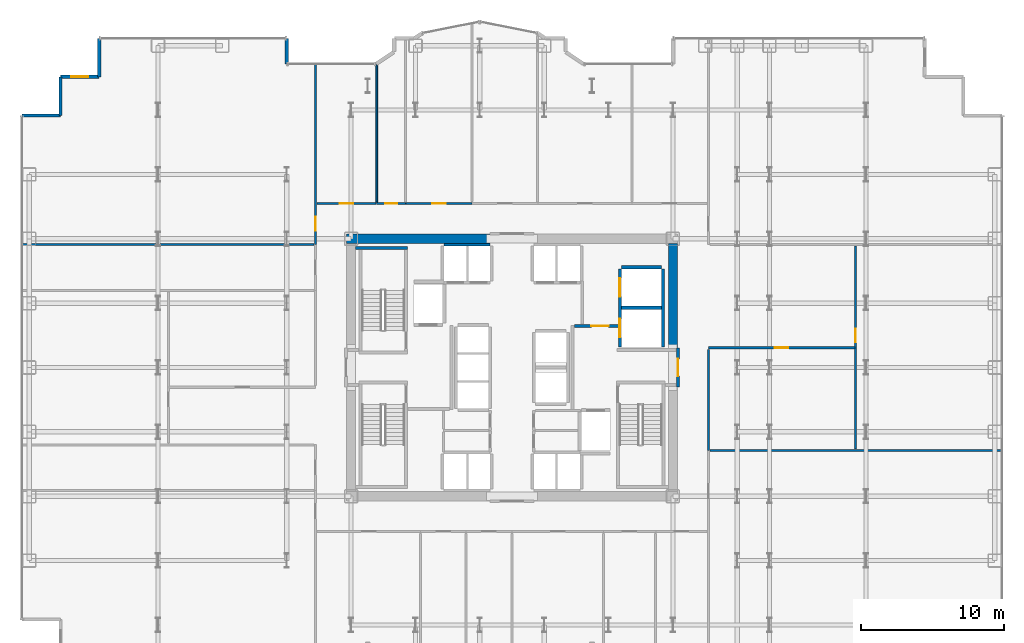
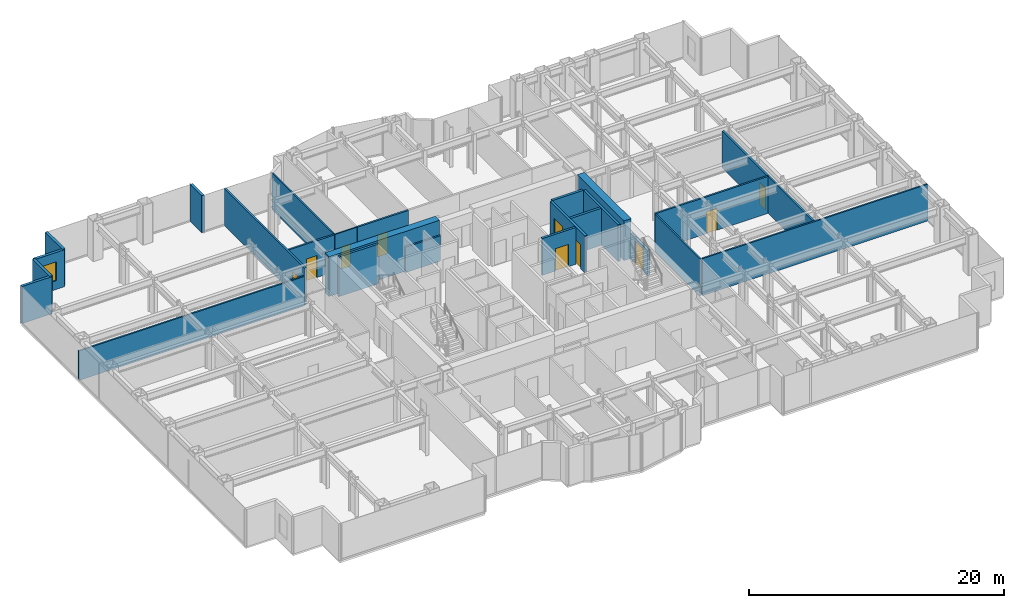
# One storey, part 23 of 25: 25 walls, 10 doors, 1 window, 11 openings.
"""IFC4 building model written with IfcOpenShell, lengths in metres."""

from ifc_helpers import new_model, si_unit, direction, frame, frame_2d, origin, place, context, subcontext, project, spatial, rectangle, extrude, source, transform, mapped, material, layer, layer_set, type_object, element, fill, save


model = new_model("IFC4")

# Units and contexts
model_context = context("Model", 3, precision=1e-05, world=origin(), true_north=direction((0.0, 1.0)))
body_context = subcontext(model_context, "Body", "Model", "MODEL_VIEW")
ifc_project = project(units=[si_unit("LENGTHUNIT", "METRE"), si_unit("AREAUNIT", "SQUARE_METRE"), si_unit("VOLUMEUNIT", "CUBIC_METRE"), si_unit("PLANEANGLEUNIT", "RADIAN"), si_unit("MASSUNIT", "GRAM", prefix="KILO")], contexts=[model_context])

# Site, building, storey
site_placement = place(None, origin())
site = spatial("IfcSite", under=ifc_project, at=site_placement, CompositionType="ELEMENT")
building_placement = place(site_placement, origin())
building = spatial("IfcBuilding", under=site, at=building_placement, Name="Nefas-Gora Pilgrimage Tower", CompositionType="ELEMENT")
storey_placement = place(building_placement, frame((0.0, 0.0, 74.800048828125)))
storey = spatial("IfcBuildingStorey", under=building, at=storey_placement, Name="L17", CompositionType="ELEMENT", Elevation=74.800048828125)

# Walls
ifc_material_1 = material(Name="Concrete C60/75", Category="concrete")
ifc_layer_1 = layer(ifc_material_1, 0.64990234375)
ifc_layer_set_1 = layer_set([ifc_layer_1], Name="Concrete C60/75")
wall_type_1 = type_object("IfcWallType", Name="SW-CORE-650", PredefinedType="SHEAR", material=ifc_layer_set_1)
shared_shape_1 = source(origin(), body_context, "Body", "SweptSolid", [
    extrude(rectangle(XDim=10.02490234375, YDim=0.64990234375, at=frame_2d((5.012451171875, 0.0))), origin(), (0.0, 0.0, 1.0), 3.800048828125),
])
wall_1_placement = place(storey_placement, frame((-11.574951171875, 9.0, 0.0), z_axis=(0.0, 0.0, 1.0), x_axis=(1.0, 0.0, 0.0)))
element("IfcWall", 1, at=wall_1_placement, inside=storey, type_object=wall_type_1, Name="L17 Core Shear Wall N-West", PredefinedType="SHEAR", context=body_context, shape_type="MappedRepresentation", body=[
    mapped(shared_shape_1, transform((0.0, 0.0, 0.0), x_axis=(1.0, 0.0, 0.0), y_axis=(0.0, 1.0, 0.0), z_axis=(0.0, 0.0, 1.0), scale=1.0)),
])
shared_shape_2 = source(origin(), body_context, "Body", "SweptSolid", [
    extrude(rectangle(XDim=7.324951171875, YDim=0.64990234375, at=frame_2d((3.66259765625, 0.0))), origin(), (0.0, 0.0, 1.0), 3.800048828125),
])
wall_2_placement = place(storey_placement, frame((11.25, 1.35009765625, 0.0), z_axis=(0.0, 0.0, 1.0), x_axis=(0.0, 1.0, 0.0)))
element("IfcWall", 2, at=wall_2_placement, inside=storey, type_object=wall_type_1, Name="L17 Core Shear Wall E-North", PredefinedType="SHEAR", context=body_context, shape_type="MappedRepresentation", body=[
    mapped(shared_shape_2, transform((0.0, 0.0, 0.0), x_axis=(1.0, 0.0, 0.0), y_axis=(0.0, 1.0, 0.0), z_axis=(0.0, 0.0, 1.0), scale=1.0)),
])
ifc_material_2 = material(Name="Precast concrete C40/50", Category="concrete")
ifc_layer_2 = layer(ifc_material_2, 0.260009765625)
ifc_layer_set_2 = layer_set([ifc_layer_2], Name="Precast concrete C40/50")
wall_type_2 = type_object("IfcWallType", Name="EW-PORTAL-260", PredefinedType="SOLIDWALL", material=ifc_layer_set_2)
shared_shape_3 = source(origin(), body_context, "Body", "SweptSolid", [
    extrude(rectangle(XDim=1.800048828125, YDim=0.260009765625, at=frame_2d((0.89990234375, 0.0))), origin(), (0.0, 0.0, 1.0), 3.550048828125),
])
wall_3_placement = place(storey_placement, frame((-15.75, 21.219970703125, 0.0), z_axis=(0.0, 0.0, 1.0), x_axis=(0.0, 1.0, 0.0)))
element("IfcWall", 3, at=wall_3_placement, inside=storey, type_object=wall_type_2, Name="L17 Lobe Shoulder Precast Spandrel Pier 19", PredefinedType="SOLIDWALL", context=body_context, shape_type="MappedRepresentation", body=[
    mapped(shared_shape_3, transform((0.0, 0.0, 0.0), x_axis=(1.0, 0.0, 0.0), y_axis=(0.0, 1.0, 0.0), z_axis=(0.0, 0.0, 1.0), scale=1.0)),
])
ifc_material_3 = material(Name="Precast concrete C45/55", Category="concrete")
ifc_layer_3 = layer(ifc_material_3, 0.239990234375)
ifc_layer_set_3 = layer_set([ifc_layer_3], Name="Precast concrete C45/55")
wall_type_3 = type_object("IfcWallType", Name="EW-SERR-240", PredefinedType="SHEAR", material=ifc_layer_set_3)
shared_shape_4 = source(origin(), body_context, "Body", "SweptSolid", [
    extrude(rectangle(XDim=2.699951171875, YDim=0.239990234375, at=frame_2d((1.35009765625, 0.0))), origin(), (0.0, 0.0, 1.0), 3.550048828125),
])
wall_4_placement = place(storey_placement, frame((-28.8701171875, 23.02001953125, 0.0), z_axis=(0.0, 0.0, 1.0), x_axis=(0.0, -1.0, 0.0)))
element("IfcWall", 4, at=wall_4_placement, inside=storey, type_object=wall_type_3, Name="L17 Serrated Corner Shear Pier Wall 20", PredefinedType="SHEAR", context=body_context, shape_type="MappedRepresentation", body=[
    mapped(shared_shape_4, transform((0.0, 0.0, 0.0), x_axis=(1.0, 0.0, 0.0), y_axis=(0.0, 1.0, 0.0), z_axis=(0.0, 0.0, 1.0), scale=1.0)),
])

# Wall, opening, window
wall_5_placement = place(storey_placement, frame((-28.8701171875, 20.320068359375, 0.0), z_axis=(0.0, 0.0, 1.0), x_axis=(-1.0, 0.0, 0.0)))
wall_5 = element("IfcWall", 5, at=wall_5_placement, inside=storey, type_object=wall_type_3, Name="L17 Serrated Corner Shear Pier Wall 21", PredefinedType="SHEAR", context=body_context, shape_type="MappedRepresentation", body=[
    mapped(shared_shape_4, transform((0.0, 0.0, 0.0), x_axis=(1.0, 0.0, 0.0), y_axis=(0.0, 1.0, 0.0), z_axis=(0.0, 0.0, 1.0), scale=1.0)),
])
opening_1_placement = place(wall_5_placement, frame((0.75, 0.0, 0.85009765625)))
opening_1 = element("IfcOpeningElement", 6, at=opening_1_placement, cuts=wall_5, Name="Opening W-V1", PredefinedType="OPENING", context=body_context, shape_type="SweptSolid", body=[
    extrude(rectangle(XDim=1.199951171875, YDim=1.800048828125, at=frame_2d((0.60009765625, 0.89990234375))), frame((0.0, 0.1298828125, 0.0), z_axis=(0.0, -1.0, 0.0), x_axis=(1.0, 0.0, 0.0)), (0.0, 0.0, 1.0), 0.260009765625),
])
ifc_material_4 = material(Name="Dark ceramic-fritted operable aluminium-glass window", Category="aluminium")
window_type = type_object("IfcWindowType", Name="WIN-VENT-1200x1800", PartitioningType="SINGLE_PANEL", PredefinedType="WINDOW", material=ifc_material_4)
shared_shape_5 = source(origin(), body_context, "Body", "SweptSolid", [
    extrude(rectangle(XDim=1.199951171875, YDim=1.800048828125, at=frame_2d((0.60009765625, 0.89990234375))), frame((0.0, 0.030029296875, 0.0), z_axis=(0.0, -1.0, 0.0), x_axis=(1.0, 0.0, 0.0)), (0.0, 0.0, 1.0), 0.06005859375),
])
window_placement = place(opening_1_placement, origin())
window = element("IfcWindow", 7, at=window_placement, inside=storey, type_object=window_type, Name="L17 Operable Parallel-Outswing Window 21", OverallHeight=1.800048828125, OverallWidth=1.199951171875, PartitioningType="SINGLE_PANEL", PredefinedType="WINDOW", context=body_context, shape_type="MappedRepresentation", body=[
    mapped(shared_shape_5, transform((0.0, 0.0, 0.0), x_axis=(1.0, 0.0, 0.0), y_axis=(0.0, 1.0, 0.0), z_axis=(0.0, 0.0, 1.0), scale=1.0)),
])
fill(opening_1, window)

# Walls
for number, where, z_axis, x_axis, name in (
    (8, (-31.570068359375, 20.320068359375, 0.0), (0.0, 0.0, 1.0), (0.0, -1.0, 0.0), "L17 Serrated Corner Shear Pier Wall 22"),
    (9, (-31.570068359375, 17.6201171875, 0.0), (0.0, 0.0, 1.0), (-1.0, 0.0, 0.0), "L17 Serrated Corner Shear Pier Wall 23"),
):
    element("IfcWall", number, at=place(storey_placement, frame(where, z_axis=z_axis, x_axis=x_axis)), inside=storey, type_object=wall_type_3, Name=name, PredefinedType="SHEAR", context=body_context, shape_type="MappedRepresentation", body=[
        mapped(shared_shape_4, transform((0.0, 0.0, 0.0), x_axis=(1.0, 0.0, 0.0), y_axis=(0.0, 1.0, 0.0), z_axis=(0.0, 0.0, 1.0), scale=1.0)),
    ])
ifc_material_5 = material(Name="Concrete C45/55", Category="concrete")
ifc_layer_4 = layer(ifc_material_5, 0.199951171875)
ifc_layer_set_4 = layer_set([ifc_layer_4], Name="Concrete C45/55")
wall_type_4 = type_object("IfcWallType", Name="IW-STAIR-200", PredefinedType="SOLIDWALL", material=ifc_layer_set_4)
shared_shape_6 = source(origin(), body_context, "Body", "SweptSolid", [
    extrude(rectangle(XDim=3.6298828125, YDim=0.199951171875, at=frame_2d((1.81494140625, 0.0))), origin(), (0.0, 0.0, 1.0), 3.800048828125),
])
wall_6_placement = place(storey_placement, frame((-7.300048828125, 8.35009765625, 0.0), z_axis=(0.0, 0.0, 1.0), x_axis=(-1.0, 0.0, 0.0)))
element("IfcWall", 10, at=wall_6_placement, inside=storey, type_object=wall_type_4, Name="L17 Stairwell Shear Wall ST-01-far", PredefinedType="SOLIDWALL", context=body_context, shape_type="MappedRepresentation", body=[
    mapped(shared_shape_6, transform((0.0, 0.0, 0.0), x_axis=(1.0, 0.0, 0.0), y_axis=(0.0, 1.0, 0.0), z_axis=(0.0, 0.0, 1.0), scale=1.0)),
])

# Wall, openings, doors
ifc_material_6 = material(Name="Concrete C40/50", Category="concrete")
ifc_layer_5 = layer(ifc_material_6, 0.219970703125)
ifc_layer_set_5 = layer_set([ifc_layer_5], Name="Concrete C40/50")
wall_type_5 = type_object("IfcWallType", Name="IW-SHAFT-220", PredefinedType="SOLIDWALL", material=ifc_layer_set_5)
shared_shape_7 = source(origin(), body_context, "Body", "SweptSolid", [
    extrude(rectangle(XDim=5.449951171875, YDim=0.219970703125, at=frame_2d((2.72509765625, 0.0))), origin(), (0.0, 0.0, 1.0), 3.534912109375),
])
wall_7_placement = place(storey_placement, frame((7.5400390625, 6.89990234375, 0.0), z_axis=(0.0, 0.0, 1.0), x_axis=(0.0, -1.0, 0.0)))
wall_7 = element("IfcWall", 11, at=wall_7_placement, inside=storey, type_object=wall_type_5, Name="L17 Hoistway Wall SL-01-02-W", PredefinedType="SOLIDWALL", context=body_context, shape_type="MappedRepresentation", body=[
    mapped(shared_shape_7, transform((0.0, 0.0, 0.0), x_axis=(1.0, 0.0, 0.0), y_axis=(0.0, 1.0, 0.0), z_axis=(0.0, 0.0, 1.0), scale=1.0)),
])
opening_2_placement = place(wall_7_placement, frame((3.5, 0.0, 0.0)))
opening_2 = element("IfcOpeningElement", 12, at=opening_2_placement, cuts=wall_7, Name="Opening LD-SV", PredefinedType="OPENING", context=body_context, shape_type="SweptSolid", body=[
    extrude(rectangle(XDim=1.300048828125, YDim=2.300048828125, at=frame_2d((0.64990234375, 1.14990234375))), frame((0.0, 0.119873046875, 0.0), z_axis=(0.0, -1.0, 0.0), x_axis=(1.0, 0.0, 0.0)), (0.0, 0.0, 1.0), 0.239990234375),
])
opening_3_placement = place(wall_7_placement, frame((0.64990234375, 0.0, 0.0)))
opening_3 = element("IfcOpeningElement", 13, at=opening_3_placement, cuts=wall_7, Name="Opening LD-SV", PredefinedType="OPENING", context=body_context, shape_type="SweptSolid", body=[
    extrude(rectangle(XDim=1.300048828125, YDim=2.300048828125, at=frame_2d((0.64990234375, 1.14990234375))), frame((0.0, 0.119873046875, 0.0), z_axis=(0.0, -1.0, 0.0), x_axis=(1.0, 0.0, 0.0)), (0.0, 0.0, 1.0), 0.239990234375),
])
ifc_material_7 = material(Name="Heavy goods sliding lift landing door")
door_type_1 = type_object("IfcDoorType", Name="DR-LIFT-SERV-1300", OperationType="SLIDING_TO_RIGHT", PredefinedType="DOOR", material=ifc_material_7)
shared_shape_8 = source(origin(), body_context, "Body", "SweptSolid", [
    extrude(rectangle(XDim=1.300048828125, YDim=2.300048828125, at=frame_2d((0.64990234375, 1.14990234375))), frame((0.0, 0.02490234375, 0.0), z_axis=(0.0, -1.0, 0.0), x_axis=(1.0, 0.0, 0.0)), (0.0, 0.0, 1.0), 0.050048828125),
])
door_1_placement = place(opening_2_placement, origin())
door_1 = element("IfcDoor", 14, at=door_1_placement, inside=storey, type_object=door_type_1, Name="L17 Sliding Lift Landing Door SL-01", OperationType="SLIDING_TO_RIGHT", OverallHeight=2.300048828125, OverallWidth=1.300048828125, PredefinedType="DOOR", context=body_context, shape_type="MappedRepresentation", body=[
    mapped(shared_shape_8, transform((0.0, 0.0, 0.0), x_axis=(1.0, 0.0, 0.0), y_axis=(0.0, 1.0, 0.0), z_axis=(0.0, 0.0, 1.0), scale=1.0)),
])
fill(opening_2, door_1)
door_2_placement = place(opening_3_placement, origin())
door_2 = element("IfcDoor", 15, at=door_2_placement, inside=storey, type_object=door_type_1, Name="L17 Sliding Lift Landing Door SL-02", OperationType="SLIDING_TO_RIGHT", OverallHeight=2.300048828125, OverallWidth=1.300048828125, PredefinedType="DOOR", context=body_context, shape_type="MappedRepresentation", body=[
    mapped(shared_shape_8, transform((0.0, 0.0, 0.0), x_axis=(1.0, 0.0, 0.0), y_axis=(0.0, 1.0, 0.0), z_axis=(0.0, 0.0, 1.0), scale=1.0)),
])
fill(opening_3, door_2)

# Walls
wall_8_placement = place(storey_placement, frame((10.56005859375, 1.449951171875, 0.0), z_axis=(0.0, 0.0, 1.0), x_axis=(0.0, 1.0, 0.0)))
element("IfcWall", 16, at=wall_8_placement, inside=storey, type_object=wall_type_5, Name="L17 Hoistway Wall SL-01-02-E", PredefinedType="SOLIDWALL", context=body_context, shape_type="MappedRepresentation", body=[
    mapped(shared_shape_7, transform((0.0, 0.0, 0.0), x_axis=(1.0, 0.0, 0.0), y_axis=(0.0, 1.0, 0.0), z_axis=(0.0, 0.0, 1.0), scale=1.0)),
])
shared_shape_9 = source(origin(), body_context, "Body", "SweptSolid", [
    extrude(rectangle(XDim=2.780029296875, YDim=0.219970703125, at=frame_2d((1.39013671875, 0.0))), origin(), (0.0, 0.0, 1.0), 3.534912109375),
])
for number, where, z_axis, x_axis, name in (
    (17, (7.659912109375, 4.175048828125, 0.0), (0.0, 0.0, 1.0), (1.0, 0.0, 0.0), "L17 Hoistway Wall SL-01-02-DIV"),
    (18, (10.43994140625, 7.010009765625, 0.0), (0.0, 0.0, 1.0), (-1.0, 0.0, 0.0), "L17 Hoistway Wall SL-02-N"),
):
    element("IfcWall", number, at=place(storey_placement, frame(where, z_axis=z_axis, x_axis=x_axis)), inside=storey, type_object=wall_type_5, Name=name, PredefinedType="SOLIDWALL", context=body_context, shape_type="MappedRepresentation", body=[
        mapped(shared_shape_9, transform((0.0, 0.0, 0.0), x_axis=(1.0, 0.0, 0.0), y_axis=(0.0, 1.0, 0.0), z_axis=(0.0, 0.0, 1.0), scale=1.0)),
    ])
ifc_material_8 = material(Name="Gypsum acoustic stud partition")
ifc_layer_6 = layer(ifc_material_8, 0.159912109375)
ifc_layer_set_6 = layer_set([ifc_layer_6], Name="Gypsum acoustic stud partition")
wall_type_6 = type_object("IfcWallType", Name="IW-CORR-160", PredefinedType="PARTITIONING", material=ifc_layer_set_6)
shared_shape_10 = source(origin(), body_context, "Body", "SweptSolid", [
    extrude(rectangle(XDim=3.199951171875, YDim=0.159912109375, at=frame_2d((1.60009765625, 0.0))), origin(), (0.0, 0.0, 1.0), 2.425048828125),
])
wall_9_placement = place(storey_placement, frame((-1.550048828125, 8.580078125, 0.0), z_axis=(0.0, 0.0, 1.0), x_axis=(-1.0, 0.0, 0.0)))
element("IfcWall", 19, at=wall_9_placement, inside=storey, type_object=wall_type_6, Name="L17 Hoistway Wall PL1-W-N", PredefinedType="PARTITIONING", context=body_context, shape_type="MappedRepresentation", body=[
    mapped(shared_shape_10, transform((0.0, 0.0, 0.0), x_axis=(1.0, 0.0, 0.0), y_axis=(0.0, 1.0, 0.0), z_axis=(0.0, 0.0, 1.0), scale=1.0)),
])

# Wall, opening, door
ifc_material_9 = material(Name="Gypsum fire-rated shaftwall")
ifc_layer_7 = layer(ifc_material_9, 0.199951171875)
ifc_layer_set_7 = layer_set([ifc_layer_7], Name="Gypsum fire-rated shaftwall")
wall_type_7 = type_object("IfcWallType", Name="IW-FFLOB-200", PredefinedType="PARTITIONING", material=ifc_layer_set_7)
shared_shape_11 = source(origin(), body_context, "Body", "SweptSolid", [
    extrude(rectangle(XDim=2.7001953125, YDim=0.199951171875, at=frame_2d((1.35009765625, 0.0))), origin(), (0.0, 0.0, 1.0), 2.425048828125),
])
wall_10_placement = place(storey_placement, frame((11.60009765625, -1.35009765625, 0.0), z_axis=(0.0, 0.0, 1.0), x_axis=(0.0, 1.0, 0.0)))
wall_10 = element("IfcWall", 20, at=wall_10_placement, inside=storey, type_object=wall_type_7, Name="L17 FF Lobby East Portal Wall 8", PredefinedType="PARTITIONING", context=body_context, shape_type="MappedRepresentation", body=[
    mapped(shared_shape_11, transform((0.0, 0.0, 0.0), x_axis=(1.0, 0.0, 0.0), y_axis=(0.0, 1.0, 0.0), z_axis=(0.0, 0.0, 1.0), scale=1.0)),
])
opening_4_placement = place(wall_10_placement, frame((0.75, 0.0, 0.0)))
opening_4 = element("IfcOpeningElement", 21, at=opening_4_placement, cuts=wall_10, Name="Opening ID-FF1", PredefinedType="OPENING", context=body_context, shape_type="SweptSolid", body=[
    extrude(rectangle(XDim=1.199951171875, YDim=2.14990234375, at=frame_2d((0.60009765625, 1.074951171875))), frame((0.0, 0.10986328125, 0.0), z_axis=(0.0, -1.0, 0.0), x_axis=(1.0, 0.0, 0.0)), (0.0, 0.0, 1.0), 0.219970703125),
])
ifc_material_10 = material(Name="Smoke-sealed steel firefighting lobby door", Category="steel")
door_type_2 = type_object("IfcDoorType", Name="DR-INT-FFLOB-1200", OperationType="NOTDEFINED", PredefinedType="DOOR", material=ifc_material_10)
shared_shape_12 = source(origin(), body_context, "Body", "SweptSolid", [
    extrude(rectangle(XDim=1.199951171875, YDim=2.14990234375, at=frame_2d((0.60009765625, 1.074951171875))), frame((0.0, 0.02490234375, 0.0), z_axis=(0.0, -1.0, 0.0), x_axis=(1.0, 0.0, 0.0)), (0.0, 0.0, 1.0), 0.050048828125),
])
door_3_placement = place(opening_4_placement, origin())
door_3 = element("IfcDoor", 22, at=door_3_placement, inside=storey, type_object=door_type_2, Name="L17 FF Lobby East Portal Door 2", OperationType="SINGLE_SWING_RIGHT", OverallHeight=2.14990234375, OverallWidth=1.199951171875, PredefinedType="DOOR", context=body_context, shape_type="MappedRepresentation", body=[
    mapped(shared_shape_12, transform((0.0, 0.0, 0.0), x_axis=(1.0, 0.0, 0.0), y_axis=(0.0, 1.0, 0.0), z_axis=(0.0, 0.0, 1.0), scale=1.0)),
])
fill(opening_4, door_3)

shared_shape_13 = source(origin(), body_context, "Body", "SweptSolid", [
    extrude(rectangle(XDim=3.039794921875, YDim=0.199951171875, at=frame_2d((1.52001953125, 0.0))), origin(), (0.0, 0.0, 1.0), 3.534912109375),
])
wall_11_placement = place(storey_placement, frame((4.360107421875, 2.89990234375, 0.0), z_axis=(0.0, 0.0, 1.0), x_axis=(1.0, 0.0, 0.0)))
wall_11 = element("IfcWall", 23, at=wall_11_placement, inside=storey, type_object=wall_type_7, Name="L17 FF Lobby East North Wall Wall 10", PredefinedType="PARTITIONING", context=body_context, shape_type="MappedRepresentation", body=[
    mapped(shared_shape_13, transform((0.0, 0.0, 0.0), x_axis=(1.0, 0.0, 0.0), y_axis=(0.0, 1.0, 0.0), z_axis=(0.0, 0.0, 1.0), scale=1.0)),
])
opening_5_placement = place(wall_11_placement, frame((1.18994140625, 0.0, 0.0)))
opening_5 = element("IfcOpeningElement", 24, at=opening_5_placement, cuts=wall_11, Name="Opening ID-PL1", PredefinedType="OPENING", context=body_context, shape_type="SweptSolid", body=[
    extrude(rectangle(XDim=1.199951171875, YDim=2.14990234375, at=frame_2d((0.60009765625, 1.074951171875))), frame((0.0, 0.10986328125, 0.0), z_axis=(0.0, -1.0, 0.0), x_axis=(1.0, 0.0, 0.0)), (0.0, 0.0, 1.0), 0.219970703125),
])
ifc_material_11 = material(Name="Heavy-duty steel plant room fire door", Category="steel")
door_type_3 = type_object("IfcDoorType", Name="DR-INT-PLANT-1200", OperationType="NOTDEFINED", PredefinedType="DOOR", material=ifc_material_11)
door_4_placement = place(opening_5_placement, origin())
door_4 = element("IfcDoor", 25, at=door_4_placement, inside=storey, type_object=door_type_3, Name="L17 Service Lift Lobby Door Door 3", OperationType="SINGLE_SWING_LEFT", OverallHeight=2.14990234375, OverallWidth=1.199951171875, PredefinedType="DOOR", context=body_context, shape_type="MappedRepresentation", body=[
    mapped(shared_shape_12, transform((0.0, 0.0, 0.0), x_axis=(1.0, 0.0, 0.0), y_axis=(0.0, 1.0, 0.0), z_axis=(0.0, 0.0, 1.0), scale=1.0)),
])
fill(opening_5, door_4)

ifc_material_12 = material(Name="Moisture-resistant fire-rated gypsum partition")
ifc_layer_8 = layer(ifc_material_12, 0.1201171875)
ifc_layer_set_8 = layer_set([ifc_layer_8], Name="Moisture-resistant fire-rated gypsum partition")
wall_type_8 = type_object("IfcWallType", Name="IW-WET-120", PredefinedType="PLUMBINGWALL", material=ifc_layer_set_8)
shared_shape_14 = source(origin(), body_context, "Body", "SweptSolid", [
    extrude(rectangle(XDim=2.02001953125, YDim=0.1201171875, at=frame_2d((1.010009765625, 0.0))), origin(), (0.0, 0.0, 1.0), 3.534912109375),
])
wall_12_placement = place(storey_placement, frame((-9.4599609375, 11.469970703125, 0.0), z_axis=(0.0, 0.0, 1.0), x_axis=(1.0, 0.0, 0.0)))
wall_12 = element("IfcWall", 26, at=wall_12_placement, inside=storey, type_object=wall_type_8, Name="L17 Accessible Unisex WC Partition Wall 25", PredefinedType="PLUMBINGWALL", context=body_context, shape_type="MappedRepresentation", body=[
    mapped(shared_shape_14, transform((0.0, 0.0, 0.0), x_axis=(1.0, 0.0, 0.0), y_axis=(0.0, 1.0, 0.0), z_axis=(0.0, 0.0, 1.0), scale=1.0)),
])
opening_6_placement = place(wall_12_placement, frame((0.5849609375, 0.0, 0.0)))
opening_6 = element("IfcOpeningElement", 27, at=opening_6_placement, cuts=wall_12, Name="Opening ID-BT1", PredefinedType="OPENING", context=body_context, shape_type="SweptSolid", body=[
    extrude(rectangle(XDim=0.85009765625, YDim=2.10009765625, at=frame_2d((0.425048828125, 1.050048828125))), frame((0.0, 0.070068359375, 0.0), z_axis=(0.0, -1.0, 0.0), x_axis=(1.0, 0.0, 0.0)), (0.0, 0.0, 1.0), 0.14013671875),
])
ifc_material_13 = material(Name="Moisture-resistant fire-rated timber door", Category="wood")
door_type_4 = type_object("IfcDoorType", Name="DR-INT-BATH-850", OperationType="NOTDEFINED", PredefinedType="DOOR", material=ifc_material_13)
shared_shape_15 = source(origin(), body_context, "Body", "SweptSolid", [
    extrude(rectangle(XDim=0.85009765625, YDim=2.10009765625, at=frame_2d((0.425048828125, 1.050048828125))), frame((0.0, 0.02490234375, 0.0), z_axis=(0.0, -1.0, 0.0), x_axis=(1.0, 0.0, 0.0)), (0.0, 0.0, 1.0), 0.050048828125),
])
door_5_placement = place(opening_6_placement, origin())
door_5 = element("IfcDoor", 28, at=door_5_placement, inside=storey, type_object=door_type_4, Name="L17 Accessible Unisex WC Door 10", OperationType="SINGLE_SWING_RIGHT", OverallHeight=2.10009765625, OverallWidth=0.85009765625, PredefinedType="DOOR", context=body_context, shape_type="MappedRepresentation", body=[
    mapped(shared_shape_15, transform((0.0, 0.0, 0.0), x_axis=(1.0, 0.0, 0.0), y_axis=(0.0, 1.0, 0.0), z_axis=(0.0, 0.0, 1.0), scale=1.0)),
])
fill(opening_6, door_5)

# Wall
shared_shape_16 = source(origin(), body_context, "Body", "SweptSolid", [
    extrude(rectangle(XDim=9.586669921875, YDim=0.1201171875, at=frame_2d((4.79345703125, 0.0))), origin(), (0.0, 0.0, 1.0), 3.534912109375),
])
wall_13_placement = place(storey_placement, frame((-9.449951171875, 11.570068359375, 0.0), z_axis=(0.0, 0.0, 1.0), x_axis=(0.0, 1.0, 0.0)))
element("IfcWall", 29, at=wall_13_placement, inside=storey, type_object=wall_type_8, Name="L17 Accessible Unisex WC Partition Wall 27", PredefinedType="PLUMBINGWALL", context=body_context, shape_type="MappedRepresentation", body=[
    mapped(shared_shape_16, transform((0.0, 0.0, 0.0), x_axis=(1.0, 0.0, 0.0), y_axis=(0.0, 1.0, 0.0), z_axis=(0.0, 0.0, 1.0), scale=1.0)),
])

# Wall, opening, door
shared_shape_17 = source(origin(), body_context, "Body", "SweptSolid", [
    extrude(rectangle(XDim=10.25, YDim=0.159912109375, at=frame_2d((5.125, 0.0))), origin(), (0.0, 0.0, 1.0), 3.534912109375),
])
wall_14_placement = place(storey_placement, frame((13.72998046875, 1.3798828125, 0.0), z_axis=(0.0, 0.0, 1.0), x_axis=(1.0, 0.0, 0.0)))
wall_14 = element("IfcWall", 30, at=wall_14_placement, inside=storey, type_object=wall_type_6, Name="L17 Pilgrim Contemplative Lounge Partition Wall 43", PredefinedType="PARTITIONING", context=body_context, shape_type="MappedRepresentation", body=[
    mapped(shared_shape_17, transform((0.0, 0.0, 0.0), x_axis=(1.0, 0.0, 0.0), y_axis=(0.0, 1.0, 0.0), z_axis=(0.0, 0.0, 1.0), scale=1.0)),
])
opening_7_placement = place(wall_14_placement, frame((4.64990234375, 0.0, 0.0)))
opening_7 = element("IfcOpeningElement", 31, at=opening_7_placement, cuts=wall_14, Name="Opening ID-GR1", PredefinedType="OPENING", context=body_context, shape_type="SweptSolid", body=[
    extrude(rectangle(XDim=0.949951171875, YDim=2.10009765625, at=frame_2d((0.47509765625, 1.050048828125))), frame((0.0, 0.08984375, 0.0), z_axis=(0.0, -1.0, 0.0), x_axis=(1.0, 0.0, 0.0)), (0.0, 0.0, 1.0), 0.179931640625),
])
ifc_material_14 = material(Name="Solid core oak fire-rated guest entrance door")
door_type_5 = type_object("IfcDoorType", Name="DR-INT-GUEST-950", OperationType="NOTDEFINED", PredefinedType="DOOR", material=ifc_material_14)
shared_shape_18 = source(origin(), body_context, "Body", "SweptSolid", [
    extrude(rectangle(XDim=0.949951171875, YDim=2.10009765625, at=frame_2d((0.47509765625, 1.050048828125))), frame((0.0, 0.02490234375, 0.0), z_axis=(0.0, -1.0, 0.0), x_axis=(1.0, 0.0, 0.0)), (0.0, 0.0, 1.0), 0.050048828125),
])
door_6_placement = place(opening_7_placement, origin())
door_6 = element("IfcDoor", 32, at=door_6_placement, inside=storey, type_object=door_type_5, Name="L17 Pilgrim Contemplative Lounge Door 19", OperationType="SINGLE_SWING_LEFT", OverallHeight=2.10009765625, OverallWidth=0.949951171875, PredefinedType="DOOR", context=body_context, shape_type="MappedRepresentation", body=[
    mapped(shared_shape_18, transform((0.0, 0.0, 0.0), x_axis=(1.0, 0.0, 0.0), y_axis=(0.0, 1.0, 0.0), z_axis=(0.0, 0.0, 1.0), scale=1.0)),
])
fill(opening_7, door_6)

shared_shape_19 = source(origin(), body_context, "Body", "SweptSolid", [
    extrude(rectangle(XDim=4.125, YDim=0.159912109375, at=frame_2d((2.0625, 0.0))), origin(), (0.0, 0.0, 1.0), 3.534912109375),
])
wall_15_placement = place(storey_placement, frame((-13.6201171875, 11.469970703125, 0.0), z_axis=(0.0, 0.0, 1.0), x_axis=(1.0, 0.0, 0.0)))
wall_15 = element("IfcWall", 33, at=wall_15_placement, inside=storey, type_object=wall_type_6, Name="L17 Pilgrim Contemplative Lounge Partition Wall 46", PredefinedType="PARTITIONING", context=body_context, shape_type="MappedRepresentation", body=[
    mapped(shared_shape_19, transform((0.0, 0.0, 0.0), x_axis=(1.0, 0.0, 0.0), y_axis=(0.0, 1.0, 0.0), z_axis=(0.0, 0.0, 1.0), scale=1.0)),
])
opening_8_placement = place(wall_15_placement, frame((1.58740234375, 0.0, 0.0)))
opening_8 = element("IfcOpeningElement", 34, at=opening_8_placement, cuts=wall_15, Name="Opening ID-GR1", PredefinedType="OPENING", context=body_context, shape_type="SweptSolid", body=[
    extrude(rectangle(XDim=0.949951171875, YDim=2.10009765625, at=frame_2d((0.47509765625, 1.050048828125))), frame((0.0, 0.08984375, 0.0), z_axis=(0.0, -1.0, 0.0), x_axis=(1.0, 0.0, 0.0)), (0.0, 0.0, 1.0), 0.179931640625),
])
door_7_placement = place(opening_8_placement, origin())
door_7 = element("IfcDoor", 35, at=door_7_placement, inside=storey, type_object=door_type_5, Name="L17 Pilgrim Contemplative Lounge Door 21", OperationType="SINGLE_SWING_LEFT", OverallHeight=2.10009765625, OverallWidth=0.949951171875, PredefinedType="DOOR", context=body_context, shape_type="MappedRepresentation", body=[
    mapped(shared_shape_18, transform((0.0, 0.0, 0.0), x_axis=(1.0, 0.0, 0.0), y_axis=(0.0, 1.0, 0.0), z_axis=(0.0, 0.0, 1.0), scale=1.0)),
])
fill(opening_8, door_7)

# Walls
ifc_material_15 = material(Name="Gypsum twin-stud partition")
ifc_layer_9 = layer(ifc_material_15, 0.139892578125)
ifc_layer_set_9 = layer_set([ifc_layer_9], Name="Gypsum twin-stud partition")
wall_type_9 = type_object("IfcWallType", Name="IW-UNIT-140", PredefinedType="PARTITIONING", material=ifc_layer_set_9)
shared_shape_20 = source(origin(), body_context, "Body", "SweptSolid", [
    extrude(rectangle(XDim=20.429931640625, YDim=0.139892578125, at=frame_2d((10.21484375, 0.0))), origin(), (0.0, 0.0, 1.0), 3.534912109375),
])
wall_16_placement = place(storey_placement, frame((13.860107421875, -5.804931640625, 0.0), z_axis=(0.0, 0.0, 1.0), x_axis=(1.0, 0.0, 0.0)))
element("IfcWall", 36, at=wall_16_placement, inside=storey, type_object=wall_type_9, Name="L17 Pilgrim Contemplative Lounge Partition Wall 40", PredefinedType="PARTITIONING", context=body_context, shape_type="MappedRepresentation", body=[
    mapped(shared_shape_20, transform((0.0, 0.0, 0.0), x_axis=(1.0, 0.0, 0.0), y_axis=(0.0, 1.0, 0.0), z_axis=(0.0, 0.0, 1.0), scale=1.0)),
])
shared_shape_21 = source(origin(), body_context, "Body", "SweptSolid", [
    extrude(rectangle(XDim=20.429931640625, YDim=0.139892578125, at=frame_2d((10.21484375, 0.0))), origin(), (0.0, 0.0, 1.0), 2.824951171875),
])
wall_17_placement = place(storey_placement, frame((-34.2900390625, 8.594970703125, 0.0), z_axis=(0.0, 0.0, 1.0), x_axis=(1.0, 0.0, 0.0)))
element("IfcWall", 37, at=wall_17_placement, inside=storey, type_object=wall_type_9, Name="L17 Pilgrim Fellowship Seminar Room Partition Wall 37", PredefinedType="PARTITIONING", context=body_context, shape_type="MappedRepresentation", body=[
    mapped(shared_shape_21, transform((0.0, 0.0, 0.0), x_axis=(1.0, 0.0, 0.0), y_axis=(0.0, 1.0, 0.0), z_axis=(0.0, 0.0, 1.0), scale=1.0)),
])

# Wall, opening, door
shared_shape_22 = source(origin(), body_context, "Body", "SweptSolid", [
    extrude(rectangle(XDim=4.60498046875, YDim=0.159912109375, at=frame_2d((2.302490234375, 0.0))), origin(), (0.0, 0.0, 1.0), 3.534912109375),
])
wall_18_placement = place(storey_placement, frame((-7.405029296875, 11.469970703125, 0.0), z_axis=(0.0, 0.0, 1.0), x_axis=(1.0, 0.0, 0.0)))
wall_18 = element("IfcWall", 38, at=wall_18_placement, inside=storey, type_object=wall_type_6, Name="L17 Pilgrim Contemplative Lounge Partition Wall 47", PredefinedType="PARTITIONING", context=body_context, shape_type="MappedRepresentation", body=[
    mapped(shared_shape_22, transform((0.0, 0.0, 0.0), x_axis=(1.0, 0.0, 0.0), y_axis=(0.0, 1.0, 0.0), z_axis=(0.0, 0.0, 1.0), scale=1.0)),
])
opening_9_placement = place(wall_18_placement, frame((1.827392578125, 0.0, 0.0)))
opening_9 = element("IfcOpeningElement", 39, at=opening_9_placement, cuts=wall_18, Name="Opening ID-GR1", PredefinedType="OPENING", context=body_context, shape_type="SweptSolid", body=[
    extrude(rectangle(XDim=0.949951171875, YDim=2.10009765625, at=frame_2d((0.47509765625, 1.050048828125))), frame((0.0, 0.08984375, 0.0), z_axis=(0.0, -1.0, 0.0), x_axis=(1.0, 0.0, 0.0)), (0.0, 0.0, 1.0), 0.179931640625),
])
door_8_placement = place(opening_9_placement, origin())
door_8 = element("IfcDoor", 40, at=door_8_placement, inside=storey, type_object=door_type_5, Name="L17 Pilgrim Contemplative Lounge Door 22", OperationType="SINGLE_SWING_RIGHT", OverallHeight=2.10009765625, OverallWidth=0.949951171875, PredefinedType="DOOR", context=body_context, shape_type="MappedRepresentation", body=[
    mapped(shared_shape_18, transform((0.0, 0.0, 0.0), x_axis=(1.0, 0.0, 0.0), y_axis=(0.0, 1.0, 0.0), z_axis=(0.0, 0.0, 1.0), scale=1.0)),
])
fill(opening_9, door_8)

shared_shape_23 = source(origin(), body_context, "Body", "SweptSolid", [
    extrude(rectangle(XDim=12.64501953125, YDim=0.159912109375, at=frame_2d((6.322509765625, 0.0))), origin(), (0.0, 0.0, 1.0), 3.534912109375),
])
wall_19_placement = place(storey_placement, frame((-13.739990234375, 8.594970703125, 0.0), z_axis=(0.0, 0.0, 1.0), x_axis=(0.0, 1.0, 0.0)))
wall_19 = element("IfcWall", 41, at=wall_19_placement, inside=storey, type_object=wall_type_6, Name="L17 Pilgrim Contemplative Lounge Partition Wall 38", PredefinedType="PARTITIONING", context=body_context, shape_type="MappedRepresentation", body=[
    mapped(shared_shape_23, transform((0.0, 0.0, 0.0), x_axis=(1.0, 0.0, 0.0), y_axis=(0.0, 1.0, 0.0), z_axis=(0.0, 0.0, 1.0), scale=1.0)),
])
opening_10_placement = place(wall_19_placement, frame((0.982421875, 0.0, 0.0)))
opening_10 = element("IfcOpeningElement", 42, at=opening_10_placement, cuts=wall_19, Name="Opening ID-GR1", PredefinedType="OPENING", context=body_context, shape_type="SweptSolid", body=[
    extrude(rectangle(XDim=0.949951171875, YDim=2.10009765625, at=frame_2d((0.47509765625, 1.050048828125))), frame((0.0, 0.08984375, 0.0), z_axis=(0.0, -1.0, 0.0), x_axis=(1.0, 0.0, 0.0)), (0.0, 0.0, 1.0), 0.179931640625),
])
door_9_placement = place(opening_10_placement, origin())
door_9 = element("IfcDoor", 43, at=door_9_placement, inside=storey, type_object=door_type_5, Name="L17 Pilgrim Contemplative Lounge Door 16", OperationType="SINGLE_SWING_RIGHT", OverallHeight=2.10009765625, OverallWidth=0.949951171875, PredefinedType="DOOR", context=body_context, shape_type="MappedRepresentation", body=[
    mapped(shared_shape_18, transform((0.0, 0.0, 0.0), x_axis=(1.0, 0.0, 0.0), y_axis=(0.0, 1.0, 0.0), z_axis=(0.0, 0.0, 1.0), scale=1.0)),
])
fill(opening_10, door_9)

# Wall
shared_shape_24 = source(origin(), body_context, "Body", "SweptSolid", [
    extrude(rectangle(XDim=7.06494140625, YDim=0.139892578125, at=frame_2d((3.532470703125, 0.0))), origin(), (0.0, 0.0, 1.0), 3.534912109375),
])
wall_20_placement = place(storey_placement, frame((13.739990234375, -5.804931640625, 0.0), z_axis=(0.0, 0.0, 1.0), x_axis=(0.0, 1.0, 0.0)))
element("IfcWall", 44, at=wall_20_placement, inside=storey, type_object=wall_type_9, Name="L17 Pilgrim Contemplative Lounge Partition Wall 44", PredefinedType="PARTITIONING", context=body_context, shape_type="MappedRepresentation", body=[
    mapped(shared_shape_24, transform((0.0, 0.0, 0.0), x_axis=(1.0, 0.0, 0.0), y_axis=(0.0, 1.0, 0.0), z_axis=(0.0, 0.0, 1.0), scale=1.0)),
])

# Wall, opening, door
shared_shape_25 = source(origin(), body_context, "Body", "SweptSolid", [
    extrude(rectangle(XDim=14.1826171875, YDim=0.159912109375, at=frame_2d((7.09130859375, 0.0))), origin(), (0.0, 0.0, 1.0), 3.534912109375),
])
wall_21_placement = place(storey_placement, frame((24.02001953125, -5.695068359375, 0.0), z_axis=(0.0, 0.0, 1.0), x_axis=(0.0, 1.0, 0.0)))
wall_21 = element("IfcWall", 45, at=wall_21_placement, inside=storey, type_object=wall_type_6, Name="L17 Pilgrim Contemplative Lounge Partition Wall 45", PredefinedType="PARTITIONING", context=body_context, shape_type="MappedRepresentation", body=[
    mapped(shared_shape_25, transform((0.0, 0.0, 0.0), x_axis=(1.0, 0.0, 0.0), y_axis=(0.0, 1.0, 0.0), z_axis=(0.0, 0.0, 1.0), scale=1.0)),
])
opening_11_placement = place(wall_21_placement, frame((7.469970703125, 0.0, 0.0)))
opening_11 = element("IfcOpeningElement", 46, at=opening_11_placement, cuts=wall_21, Name="Opening ID-GR1", PredefinedType="OPENING", context=body_context, shape_type="SweptSolid", body=[
    extrude(rectangle(XDim=0.949951171875, YDim=2.10009765625, at=frame_2d((0.47509765625, 1.050048828125))), frame((0.0, 0.08984375, 0.0), z_axis=(0.0, -1.0, 0.0), x_axis=(1.0, 0.0, 0.0)), (0.0, 0.0, 1.0), 0.179931640625),
])
door_10_placement = place(opening_11_placement, origin())
door_10 = element("IfcDoor", 47, at=door_10_placement, inside=storey, type_object=door_type_5, Name="L17 Pilgrim Contemplative Lounge Door 20", OperationType="SINGLE_SWING_RIGHT", OverallHeight=2.10009765625, OverallWidth=0.949951171875, PredefinedType="DOOR", context=body_context, shape_type="MappedRepresentation", body=[
    mapped(shared_shape_18, transform((0.0, 0.0, 0.0), x_axis=(1.0, 0.0, 0.0), y_axis=(0.0, 1.0, 0.0), z_axis=(0.0, 0.0, 1.0), scale=1.0)),
])
fill(opening_11, door_10)

save(model, "model.ifc")
